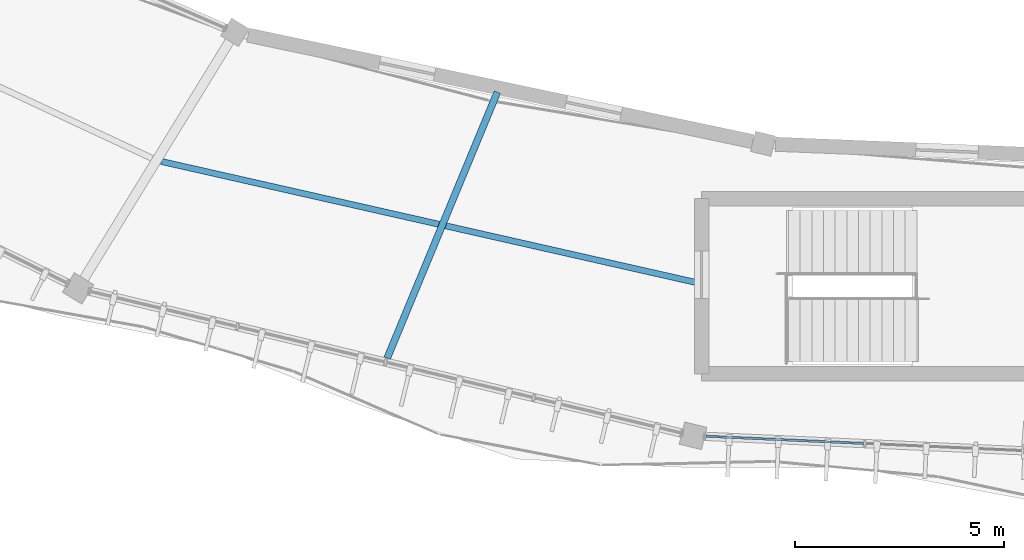
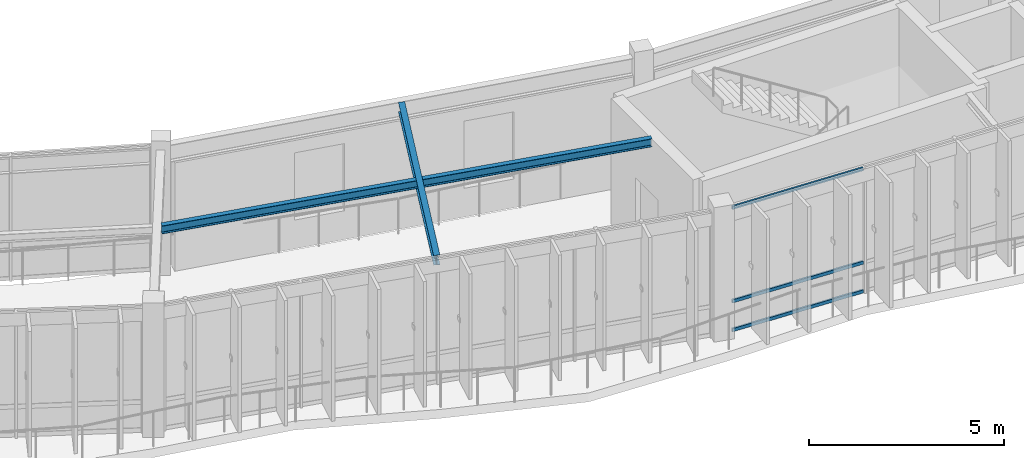
# One storey, part 13 of 79: 3 members, 2 beams, 1 element without a shape of its own.
"""IFC4 building model written with IfcOpenShell, lengths in metres."""

from ifc_helpers import new_model, si_unit, direction, frame, origin, origin_2d, place, context, subcontext, project, spatial, hollow_rectangle, i_section, extrude, material, material_profile, profile_set, type_object, element, aggregate, save


model = new_model("IFC4")

# Units and contexts
model_context = context("Model", 3, precision=1e-05, world=origin(), true_north=direction((0.0, 1.0)))
body_context = subcontext(model_context, "Body", "Model", "MODEL_VIEW")
ifc_project = project(units=[si_unit("LENGTHUNIT", "METRE"), si_unit("AREAUNIT", "SQUARE_METRE"), si_unit("VOLUMEUNIT", "CUBIC_METRE"), si_unit("PLANEANGLEUNIT", "RADIAN"), si_unit("MASSUNIT", "GRAM", prefix="KILO"), si_unit("THERMODYNAMICTEMPERATUREUNIT", "KELVIN"), si_unit("POWERUNIT", "WATT")], contexts=[model_context])

# Site, building, storey
site_placement = place(None, origin())
site = spatial("IfcSite", under=ifc_project, at=site_placement, CompositionType="ELEMENT")
building_placement = place(site_placement, origin())
building = spatial("IfcBuilding", under=site, at=building_placement, Name="Darbajah Civic Hall", CompositionType="ELEMENT")
storey_placement = place(building_placement, frame((0.0, 0.0, 22.199951171875)))
storey = spatial("IfcBuildingStorey", under=building, at=storey_placement, Name="L05", CompositionType="ELEMENT", Elevation=22.199951171875)

# Curtain wall, members
ifc_material_1 = material(Name="Anodised Bronze Aluminium and Low-E Glazing", Category="aluminium")
curtain_wall_type = type_object("IfcCurtainWallType", Name="Unitised Curtain Wall CW-84 15400x3900", PredefinedType="USERDEFINED", material=ifc_material_1)
curtain_wall_placement = place(storey_placement, origin())
curtain_wall = element("IfcCurtainWall", 1, at=curtain_wall_placement, inside=storey, type_object=curtain_wall_type, Name="L05 unitised curtain wall CW-V1O-L05-14", ObjectType="UNITISED CURTAIN WALL", PredefinedType="USERDEFINED")
ifc_material_2 = material(Name="Anodised Bronze Aluminium", Category="aluminium")
ifc_material_profile_1 = material_profile(ifc_material_2, hollow_rectangle(XDim=0.054931640625, YDim=0.10009765625, WallThickness=0.0029296875, at=origin_2d()), Name="ALU TRANSOM 55x100")
ifc_profile_set_1 = profile_set([ifc_material_profile_1], Name="Anodised Bronze Aluminium")
member_type = type_object("IfcMemberType", Name="ALU TRANSOM 55x100", PredefinedType="USERDEFINED", material=ifc_profile_set_1)
member_1_placement = place(storey_placement, frame((77.50341796875, 61.10107421875, 0.050048828125), z_axis=(0.998964405176, -0.045498540548, 0.0), x_axis=(0.045498540548, 0.998964405176, 0.0)))
member_1 = element("IfcMember", 2, at=member_1_placement, type_object=member_type, Name="CW-V1O-L05-14 transom 1.1", ObjectType="TRANSOM", PredefinedType="USERDEFINED", context=body_context, shape_type="SweptSolid", body=[
    extrude(hollow_rectangle(XDim=0.054931640625, YDim=0.10009765625, WallThickness=0.0029296875, at=origin_2d()), origin(), (0.0, 0.0, 1.0), 3.777587890625),
])
member_2_placement = place(storey_placement, frame((77.50341796875, 61.10107421875, 0.949951171875), z_axis=(0.998964405176, -0.045498540548, 0.0), x_axis=(0.045498540548, 0.998964405176, 0.0)))
member_2 = element("IfcMember", 3, at=member_2_placement, type_object=member_type, Name="CW-V1O-L05-14 transom 1.2", ObjectType="TRANSOM", PredefinedType="USERDEFINED", context=body_context, shape_type="SweptSolid", body=[
    extrude(hollow_rectangle(XDim=0.054931640625, YDim=0.10009765625, WallThickness=0.0029296875, at=origin_2d()), origin(), (0.0, 0.0, 1.0), 3.777587890625),
])
member_3_placement = place(storey_placement, frame((77.50341796875, 61.10107421875, 3.8701171875), z_axis=(0.998964405176, -0.045498540548, 0.0), x_axis=(0.045498540548, 0.998964405176, 0.0)))
member_3 = element("IfcMember", 4, at=member_3_placement, type_object=member_type, Name="CW-V1O-L05-14 transom 1.3", ObjectType="TRANSOM", PredefinedType="USERDEFINED", context=body_context, shape_type="SweptSolid", body=[
    extrude(hollow_rectangle(XDim=0.054931640625, YDim=0.10009765625, WallThickness=0.0029296875, at=origin_2d()), origin(), (0.0, 0.0, 1.0), 3.777587890625),
])
aggregate(curtain_wall, [member_1, member_2, member_3])

# Beams
ifc_material_3 = material(Name="Steel S355JR", Category="steel")
ifc_material_profile_2 = material_profile(ifc_material_3, i_section(OverallWidth=0.146484375, OverallDepth=0.256103515625, WebThickness=0.00634765625, FlangeThickness=0.010986328125, FilletRadius=0.007568359375, at=origin_2d()), Name="UB 254x146x37")
ifc_profile_set_2 = profile_set([ifc_material_profile_2], Name="Steel S355JR")
beam_type_1 = type_object("IfcBeamType", Name="UB 254x146x37", PredefinedType="JOIST", material=ifc_profile_set_2)
beam_1_placement = place(storey_placement, frame((64.44677734375, 67.69091796875, 3.7919921875), z_axis=(0.975333080849, -0.220738264473, 0.0), x_axis=(0.220738264473, 0.975333080849, 0.0)))
element("IfcBeam", 5, at=beam_1_placement, inside=storey, type_object=beam_type_1, Name="L05 beam SJ-254", PredefinedType="JOIST", context=body_context, shape_type="SweptSolid", body=[
    extrude(i_section(OverallWidth=0.146484375, OverallDepth=0.256103515625, WebThickness=0.00634765625, FlangeThickness=0.010986328125, FilletRadius=0.007568359375, at=origin_2d()), origin(), (0.0, 0.0, 1.0), 13.13720703125),
])
ifc_material_profile_3 = material_profile(ifc_material_3, i_section(OverallWidth=0.165771484375, OverallDepth=0.306640625, WebThickness=0.006591796875, FlangeThickness=0.01171875, FilletRadius=0.0087890625, at=origin_2d()), Name="UB 305x165x46")
ifc_profile_set_3 = profile_set([ifc_material_profile_3], Name="Steel S355JR")
beam_type_2 = type_object("IfcBeamType", Name="UB 305x165x46", PredefinedType="JOIST", material=ifc_profile_set_3)
beam_2_placement = place(storey_placement, frame((72.50439453125, 69.353271484375, 3.766845703125), z_axis=(-0.382685995053, -0.923878471007, 0.0), x_axis=(0.923878471007, -0.382685995053, 0.0)))
element("IfcBeam", 6, at=beam_2_placement, inside=storey, type_object=beam_type_2, Name="L05 beam SJ-305", PredefinedType="JOIST", context=body_context, shape_type="SweptSolid", body=[
    extrude(i_section(OverallWidth=0.165771484375, OverallDepth=0.306640625, WebThickness=0.006591796875, FlangeThickness=0.01171875, FilletRadius=0.0087890625, at=origin_2d()), origin(), (0.0, 0.0, 1.0), 6.9033203125),
])

save(model, "model.ifc")
